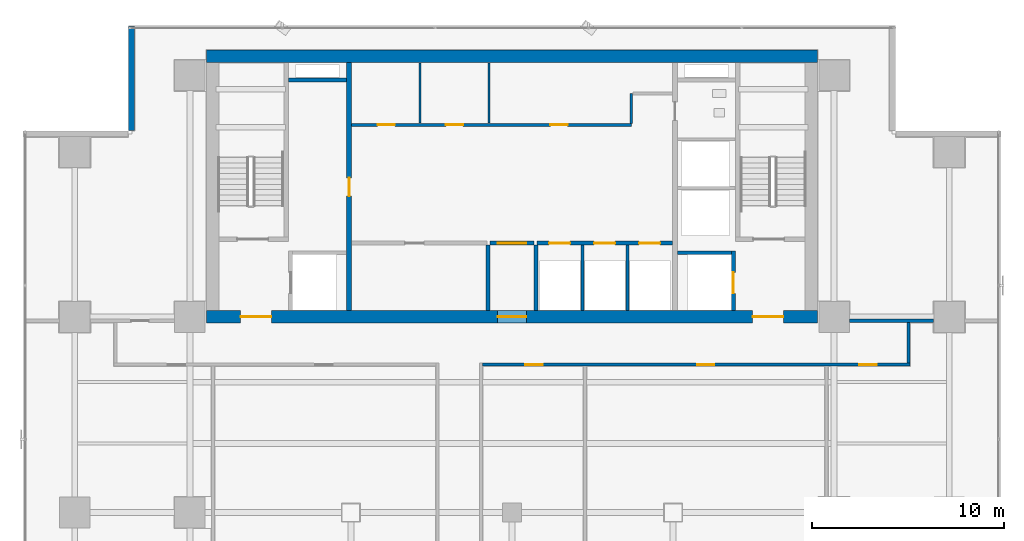
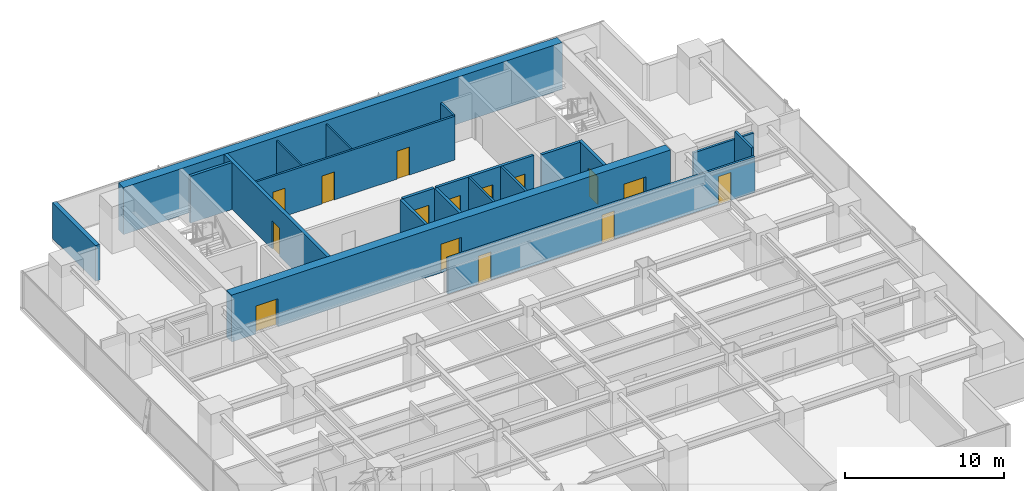
# One storey, part 27 of 35: 20 walls, 15 doors, 15 openings.
"""IFC4 building model written with IfcOpenShell, lengths in metres."""

from ifc_helpers import new_model, si_unit, direction, frame, frame_2d, origin, place, context, subcontext, project, spatial, rectangle, extrude, source, transform, mapped, material, layer, layer_set, type_object, element, fill, save


model = new_model("IFC4")

# Units and contexts
model_context = context("Model", 3, precision=1e-05, world=origin(), true_north=direction((0.0, 1.0)))
body_context = subcontext(model_context, "Body", "Model", "MODEL_VIEW")
ifc_project = project(units=[si_unit("LENGTHUNIT", "METRE"), si_unit("AREAUNIT", "SQUARE_METRE"), si_unit("VOLUMEUNIT", "CUBIC_METRE"), si_unit("PLANEANGLEUNIT", "RADIAN"), si_unit("MASSUNIT", "GRAM", prefix="KILO")], contexts=[model_context])

# Site, building, storey
site_placement = place(None, origin())
site = spatial("IfcSite", under=ifc_project, at=site_placement, CompositionType="ELEMENT")
building_placement = place(site_placement, origin())
building = spatial("IfcBuilding", under=site, at=building_placement, Name="Sumidabori Civic Tower", CompositionType="ELEMENT")
storey_placement = place(building_placement, frame((0.0, 0.0, 102.800048828125)))
storey = spatial("IfcBuildingStorey", under=building, at=storey_placement, Name="L26", CompositionType="ELEMENT", Elevation=102.800048828125)

# Walls
ifc_material_1 = material(Name="Concrete C50/60", Category="concrete")
ifc_layer_1 = layer(ifc_material_1, 0.199951171875, Name="Concrete C50/60")
ifc_layer_set_1 = layer_set([ifc_layer_1], Name="Concrete C50/60")
wall_type_1 = type_object("IfcWallType", Name="WL-SHAFT-200", PredefinedType="SHEAR", material=ifc_layer_set_1)
shared_shape_1 = source(origin(), body_context, "Body", "SweptSolid", [
    extrude(rectangle(XDim=2.824951171875, YDim=0.199951171875, at=frame_2d((1.41259765625, 0.0))), origin(), (0.0, 0.0, 1.0), 3.599853515625),
])
wall_1_placement = place(storey_placement, frame((8.625, 13.550048828125, 0.0), z_axis=(0.0, 0.0, 1.0), x_axis=(1.0, 0.0, 0.0)))
element("IfcWall", 1, at=wall_1_placement, inside=storey, type_object=wall_type_1, Name="Core Shear Wall L26 EL2-N", PredefinedType="SHEAR", context=body_context, shape_type="MappedRepresentation", body=[
    mapped(shared_shape_1, transform((0.0, 0.0, 0.0), x_axis=(1.0, 0.0, 0.0), y_axis=(0.0, 1.0, 0.0), z_axis=(0.0, 0.0, 1.0), scale=1.0)),
])
shared_shape_2 = source(origin(), body_context, "Body", "SweptSolid", [
    extrude(rectangle(XDim=3.02001953125, YDim=0.199951171875, at=frame_2d((1.510009765625, 0.0))), origin(), (0.0, 0.0, 1.0), 3.599853515625),
])
wall_2_placement = place(storey_placement, frame((-11.64501953125, 22.550048828125, 0.0), z_axis=(0.0, 0.0, 1.0), x_axis=(1.0, 0.0, 0.0)))
element("IfcWall", 2, at=wall_2_placement, inside=storey, type_object=wall_type_1, Name="Core Shear Wall L26 RIS1-S", PredefinedType="SHEAR", context=body_context, shape_type="MappedRepresentation", body=[
    mapped(shared_shape_2, transform((0.0, 0.0, 0.0), x_axis=(1.0, 0.0, 0.0), y_axis=(0.0, 1.0, 0.0), z_axis=(0.0, 0.0, 1.0), scale=1.0)),
])
ifc_material_2 = material(Name="Concrete C60/75", Category="concrete")
ifc_layer_2 = layer(ifc_material_2, 0.64990234375, Name="Concrete C60/75")
ifc_layer_set_2 = layer_set([ifc_layer_2], Name="Concrete C60/75")
wall_type_2 = type_object("IfcWallType", Name="WL-CORE-650", PredefinedType="SHEAR", material=ifc_layer_set_2)
shared_shape_3 = source(origin(), body_context, "Body", "SweptSolid", [
    extrude(rectangle(XDim=31.85009765625, YDim=0.64990234375, at=frame_2d((15.925048828125, 0.0))), origin(), (0.0, 0.0, 1.0), 3.599853515625),
])
wall_3_placement = place(storey_placement, frame((-15.925048828125, 23.800048828125, 0.0), z_axis=(0.0, 0.0, 1.0), x_axis=(1.0, 0.0, 0.0)))
element("IfcWall", 3, at=wall_3_placement, inside=storey, type_object=wall_type_2, Name="Core Shear Wall L26 N", PredefinedType="SHEAR", context=body_context, shape_type="MappedRepresentation", body=[
    mapped(shared_shape_3, transform((0.0, 0.0, 0.0), x_axis=(1.0, 0.0, 0.0), y_axis=(0.0, 1.0, 0.0), z_axis=(0.0, 0.0, 1.0), scale=1.0)),
])

# Wall, openings, doors
wall_4_placement = place(storey_placement, frame((-15.925048828125, 10.199951171875, 0.0), z_axis=(0.0, 0.0, 1.0), x_axis=(1.0, 0.0, 0.0)))
wall_4 = element("IfcWall", 4, at=wall_4_placement, inside=storey, type_object=wall_type_2, Name="Core Shear Wall L26 S", PredefinedType="SHEAR", context=body_context, shape_type="MappedRepresentation", body=[
    mapped(shared_shape_3, transform((0.0, 0.0, 0.0), x_axis=(1.0, 0.0, 0.0), y_axis=(0.0, 1.0, 0.0), z_axis=(0.0, 0.0, 1.0), scale=1.0)),
])
opening_1_placement = place(wall_4_placement, frame((1.77490234375, 0.0, 0.0)))
opening_1 = element("IfcOpeningElement", 5, at=opening_1_placement, cuts=wall_4, Name="Opening DR-FD4", PredefinedType="OPENING", context=body_context, shape_type="SweptSolid", body=[
    extrude(rectangle(XDim=1.60009765625, YDim=2.14990234375, at=frame_2d((0.800048828125, 1.074951171875))), frame((0.0, 0.3369140625, 0.0), z_axis=(0.0, -1.0, 0.0), x_axis=(1.0, 0.0, 0.0)), (0.0, 0.0, 1.0), 0.673828125),
])
opening_2_placement = place(wall_4_placement, frame((28.47509765625, 0.0, 0.0)))
opening_2 = element("IfcOpeningElement", 6, at=opening_2_placement, cuts=wall_4, Name="Opening DR-FD4", PredefinedType="OPENING", context=body_context, shape_type="SweptSolid", body=[
    extrude(rectangle(XDim=1.60009765625, YDim=2.14990234375, at=frame_2d((0.800048828125, 1.074951171875))), frame((0.0, 0.3369140625, 0.0), z_axis=(0.0, -1.0, 0.0), x_axis=(1.0, 0.0, 0.0)), (0.0, 0.0, 1.0), 0.673828125),
])
opening_3_placement = place(wall_4_placement, frame((15.175048828125, 0.0, 0.0)))
opening_3 = element("IfcOpeningElement", 7, at=opening_3_placement, cuts=wall_4, Name="Opening DR-FD3", PredefinedType="OPENING", context=body_context, shape_type="SweptSolid", body=[
    extrude(rectangle(XDim=1.5, YDim=2.199951171875, at=frame_2d((0.75, 1.10009765625))), frame((0.0, 0.3369140625, 0.0), z_axis=(0.0, -1.0, 0.0), x_axis=(1.0, 0.0, 0.0)), (0.0, 0.0, 1.0), 0.673828125),
])
ifc_material_3 = material(Name="Steel SN490", Category="steel")
door_type_1 = type_object("IfcDoorType", Name="DR-FD4", OperationType="DOUBLE_DOOR_SINGLE_SWING", PredefinedType="DOOR", material=ifc_material_3)
shared_shape_4 = source(origin(), body_context, "Body", "SweptSolid", [
    extrude(rectangle(XDim=1.60009765625, YDim=2.14990234375, at=frame_2d((0.800048828125, 1.074951171875))), frame((0.0, 0.02490234375, 0.0), z_axis=(0.0, -1.0, 0.0), x_axis=(1.0, 0.0, 0.0)), (0.0, 0.0, 1.0), 0.050048828125),
])
door_1_placement = place(opening_1_placement, origin())
door_1 = element("IfcDoor", 8, at=door_1_placement, inside=storey, type_object=door_type_1, Name="Door DR:L26:ELOB-W", OperationType="DOUBLE_DOOR_SINGLE_SWING", OverallHeight=2.14990234375, OverallWidth=1.60009765625, PredefinedType="DOOR", context=body_context, shape_type="MappedRepresentation", body=[
    mapped(shared_shape_4, transform((0.0, 0.0, 0.0), x_axis=(1.0, 0.0, 0.0), y_axis=(0.0, 1.0, 0.0), z_axis=(0.0, 0.0, 1.0), scale=1.0)),
])
fill(opening_1, door_1)
door_2_placement = place(opening_2_placement, origin())
door_2 = element("IfcDoor", 9, at=door_2_placement, inside=storey, type_object=door_type_1, Name="Door DR:L26:ELOB-E", OperationType="DOUBLE_DOOR_SINGLE_SWING", OverallHeight=2.14990234375, OverallWidth=1.60009765625, PredefinedType="DOOR", context=body_context, shape_type="MappedRepresentation", body=[
    mapped(shared_shape_4, transform((0.0, 0.0, 0.0), x_axis=(1.0, 0.0, 0.0), y_axis=(0.0, 1.0, 0.0), z_axis=(0.0, 0.0, 1.0), scale=1.0)),
])
fill(opening_2, door_2)
door_type_2 = type_object("IfcDoorType", Name="DR-FD-DBL", OperationType="DOUBLE_DOOR_SINGLE_SWING", PredefinedType="DOOR", material=ifc_material_3)
shared_shape_5 = source(origin(), body_context, "Body", "SweptSolid", [
    extrude(rectangle(XDim=1.5, YDim=2.199951171875, at=frame_2d((0.75, 1.10009765625))), frame((0.0, 0.02490234375, 0.0), z_axis=(0.0, -1.0, 0.0), x_axis=(1.0, 0.0, 0.0)), (0.0, 0.0, 1.0), 0.050048828125),
])
door_3_placement = place(opening_3_placement, origin())
door_3 = element("IfcDoor", 10, at=door_3_placement, inside=storey, type_object=door_type_2, Name="Door DR:L26:THROAT-OUT", OperationType="DOUBLE_DOOR_SINGLE_SWING", OverallHeight=2.199951171875, OverallWidth=1.5, PredefinedType="DOOR", context=body_context, shape_type="MappedRepresentation", body=[
    mapped(shared_shape_5, transform((0.0, 0.0, 0.0), x_axis=(1.0, 0.0, 0.0), y_axis=(0.0, 1.0, 0.0), z_axis=(0.0, 0.0, 1.0), scale=1.0)),
])
fill(opening_3, door_3)

# Wall, opening, door
ifc_layer_3 = layer(ifc_material_1, 0.25, Name="Concrete C50/60")
ifc_layer_set_3 = layer_set([ifc_layer_3], Name="Concrete C50/60")
wall_type_3 = type_object("IfcWallType", Name="WL-SHAFT-250", PredefinedType="SHEAR", material=ifc_layer_set_3)
shared_shape_6 = source(origin(), body_context, "Body", "SweptSolid", [
    extrude(rectangle(XDim=12.9501953125, YDim=0.25, at=frame_2d((6.47509765625, 0.0))), origin(), (0.0, 0.0, 1.0), 3.599853515625),
])
wall_5_placement = place(storey_placement, frame((-8.5, 10.52490234375, 0.0), z_axis=(0.0, 0.0, 1.0), x_axis=(0.0, 1.0, 0.0)))
wall_5 = element("IfcWall", 11, at=wall_5_placement, inside=storey, type_object=wall_type_3, Name="Core Shear Wall L26 WEB-W", PredefinedType="SHEAR", context=body_context, shape_type="MappedRepresentation", body=[
    mapped(shared_shape_6, transform((0.0, 0.0, 0.0), x_axis=(1.0, 0.0, 0.0), y_axis=(0.0, 1.0, 0.0), z_axis=(0.0, 0.0, 1.0), scale=1.0)),
])
opening_4_placement = place(wall_5_placement, frame((5.97509765625, 0.0, 0.0)))
opening_4 = element("IfcOpeningElement", 12, at=opening_4_placement, cuts=wall_5, Name="Opening DR-FD2", PredefinedType="OPENING", context=body_context, shape_type="SweptSolid", body=[
    extrude(rectangle(XDim=0.949951171875, YDim=2.14990234375, at=frame_2d((0.47509765625, 1.074951171875))), frame((0.0, 0.136962890625, 0.0), z_axis=(0.0, -1.0, 0.0), x_axis=(1.0, 0.0, 0.0)), (0.0, 0.0, 1.0), 0.27392578125),
])
door_type_3 = type_object("IfcDoorType", Name="DR-FD2", OperationType="NOTDEFINED", PredefinedType="DOOR", material=ifc_material_3)
shared_shape_7 = source(origin(), body_context, "Body", "SweptSolid", [
    extrude(rectangle(XDim=0.949951171875, YDim=2.14990234375, at=frame_2d((0.47509765625, 1.074951171875))), frame((0.0, 0.02490234375, 0.0), z_axis=(0.0, -1.0, 0.0), x_axis=(1.0, 0.0, 0.0)), (0.0, 0.0, 1.0), 0.050048828125),
])
door_4_placement = place(opening_4_placement, origin())
door_4 = element("IfcDoor", 13, at=door_4_placement, inside=storey, type_object=door_type_3, Name="Door DR:L26:CW-STR", OperationType="SINGLE_SWING_LEFT", OverallHeight=2.14990234375, OverallWidth=0.949951171875, PredefinedType="DOOR", context=body_context, shape_type="MappedRepresentation", body=[
    mapped(shared_shape_7, transform((0.0, 0.0, 0.0), x_axis=(1.0, 0.0, 0.0), y_axis=(0.0, 1.0, 0.0), z_axis=(0.0, 0.0, 1.0), scale=1.0)),
])
fill(opening_4, door_4)

shared_shape_8 = source(origin(), body_context, "Body", "SweptSolid", [
    extrude(rectangle(XDim=3.125, YDim=0.199951171875, at=frame_2d((1.5625, 0.0))), origin(), (0.0, 0.0, 1.0), 3.599853515625),
])
wall_6_placement = place(storey_placement, frame((11.550048828125, 10.52490234375, 0.0), z_axis=(0.0, 0.0, 1.0), x_axis=(0.0, 1.0, 0.0)))
wall_6 = element("IfcWall", 14, at=wall_6_placement, inside=storey, type_object=wall_type_1, Name="Core Shear Wall L26 EL2-E", PredefinedType="SHEAR", context=body_context, shape_type="MappedRepresentation", body=[
    mapped(shared_shape_8, transform((0.0, 0.0, 0.0), x_axis=(1.0, 0.0, 0.0), y_axis=(0.0, 1.0, 0.0), z_axis=(0.0, 0.0, 1.0), scale=1.0)),
])
opening_5_placement = place(wall_6_placement, frame((0.89990234375, 0.0, 0.0)))
opening_5 = element("IfcOpeningElement", 15, at=opening_5_placement, cuts=wall_6, Name="Opening LD-2", PredefinedType="OPENING", context=body_context, shape_type="SweptSolid", body=[
    extrude(rectangle(XDim=1.10009765625, YDim=2.14990234375, at=frame_2d((0.550048828125, 1.074951171875))), frame((0.0, 0.11181640625, 0.0), z_axis=(0.0, -1.0, 0.0), x_axis=(1.0, 0.0, 0.0)), (0.0, 0.0, 1.0), 0.223876953125),
])
ifc_material_4 = material(Name="Stainless Steel Hairline Finish", Category="steel")
door_type_4 = type_object("IfcDoorType", Name="DR-LD2", OperationType="DOUBLE_DOOR_SLIDING", PredefinedType="DOOR", material=ifc_material_4)
shared_shape_9 = source(origin(), body_context, "Body", "SweptSolid", [
    extrude(rectangle(XDim=1.10009765625, YDim=2.14990234375, at=frame_2d((0.550048828125, 1.074951171875))), frame((0.0, 0.02490234375, 0.0), z_axis=(0.0, -1.0, 0.0), x_axis=(1.0, 0.0, 0.0)), (0.0, 0.0, 1.0), 0.050048828125),
])
door_5_placement = place(opening_5_placement, origin())
door_5 = element("IfcDoor", 16, at=door_5_placement, inside=storey, type_object=door_type_4, Name="Door DR:L26:LD-EL2", OperationType="DOUBLE_DOOR_SLIDING", OverallHeight=2.14990234375, OverallWidth=1.10009765625, PredefinedType="DOOR", context=body_context, shape_type="MappedRepresentation", body=[
    mapped(shared_shape_9, transform((0.0, 0.0, 0.0), x_axis=(1.0, 0.0, 0.0), y_axis=(0.0, 1.0, 0.0), z_axis=(0.0, 0.0, 1.0), scale=1.0)),
])
fill(opening_5, door_5)

# Wall
ifc_material_5 = material(Name="Precast concrete C40/50", Category="concrete")
ifc_layer_4 = layer(ifc_material_5, 0.300048828125, Name="Precast concrete C40/50")
ifc_layer_set_4 = layer_set([ifc_layer_4], Name="Precast concrete C40/50")
wall_type_4 = type_object("IfcWallType", Name="WL-EXT-POD300", PredefinedType="STANDARD", material=ifc_layer_set_4)
shared_shape_10 = source(origin(), body_context, "Body", "SweptSolid", [
    extrude(rectangle(XDim=5.4599609375, YDim=0.300048828125, at=frame_2d((2.72998046875, 0.0))), origin(), (0.0, 0.0, 1.0), 2.739990234375),
])
wall_7_placement = place(storey_placement, frame((-19.85009765625, 25.3798828125, 0.0), z_axis=(0.0, 0.0, 1.0), x_axis=(0.0, -1.0, 0.0)))
element("IfcWall", 17, at=wall_7_placement, inside=storey, type_object=wall_type_4, Name="Notched Corner Spandrel Band L26-08", PredefinedType="STANDARD", context=body_context, shape_type="MappedRepresentation", body=[
    mapped(shared_shape_10, transform((0.0, 0.0, 0.0), x_axis=(1.0, 0.0, 0.0), y_axis=(0.0, 1.0, 0.0), z_axis=(0.0, 0.0, 1.0), scale=1.0)),
])

# Wall, openings, doors
ifc_material_6 = material(Name="Gypsum Plasterboard Fire Partition")
ifc_layer_5 = layer(ifc_material_6, 0.199951171875, Name="Gypsum Plasterboard Fire Partition")
ifc_layer_set_5 = layer_set([ifc_layer_5], Name="Gypsum Plasterboard Fire Partition")
wall_type_5 = type_object("IfcWallType", Name="WL-PART-FIRE", PredefinedType="PARTITIONING", material=ifc_layer_set_5)
shared_shape_11 = source(origin(), body_context, "Body", "SweptSolid", [
    extrude(rectangle(XDim=7.070068359375, YDim=0.199951171875, at=frame_2d((3.53515625, 0.0))), origin(), (0.0, 0.0, 1.0), 3.35986328125),
])
wall_8_placement = place(storey_placement, frame((1.300048828125, 14.050048828125, 0.0), z_axis=(0.0, 0.0, 1.0), x_axis=(1.0, 0.0, 0.0)))
wall_8 = element("IfcWall", 18, at=wall_8_placement, inside=storey, type_object=wall_type_5, Name="Interior Partition WL:L26:CBAND-SE", PredefinedType="PARTITIONING", context=body_context, shape_type="MappedRepresentation", body=[
    mapped(shared_shape_11, transform((0.0, 0.0, 0.0), x_axis=(1.0, 0.0, 0.0), y_axis=(0.0, 1.0, 0.0), z_axis=(0.0, 0.0, 1.0), scale=1.0)),
])
opening_6_placement = place(wall_8_placement, frame((0.6298828125, 0.0, 0.0)))
opening_6 = element("IfcOpeningElement", 19, at=opening_6_placement, cuts=wall_8, Name="Opening LD-1", PredefinedType="OPENING", context=body_context, shape_type="SweptSolid", body=[
    extrude(rectangle(XDim=1.10009765625, YDim=2.14990234375, at=frame_2d((0.550048828125, 1.074951171875))), frame((0.0, 0.11181640625, 0.0), z_axis=(0.0, -1.0, 0.0), x_axis=(1.0, 0.0, 0.0)), (0.0, 0.0, 1.0), 0.223876953125),
])
opening_7_placement = place(wall_8_placement, frame((2.97998046875, 0.0, 0.0)))
opening_7 = element("IfcOpeningElement", 20, at=opening_7_placement, cuts=wall_8, Name="Opening LD-1", PredefinedType="OPENING", context=body_context, shape_type="SweptSolid", body=[
    extrude(rectangle(XDim=1.10009765625, YDim=2.14990234375, at=frame_2d((0.550048828125, 1.074951171875))), frame((0.0, 0.11181640625, 0.0), z_axis=(0.0, -1.0, 0.0), x_axis=(1.0, 0.0, 0.0)), (0.0, 0.0, 1.0), 0.223876953125),
])
opening_8_placement = place(wall_8_placement, frame((5.330078125, 0.0, 0.0)))
opening_8 = element("IfcOpeningElement", 21, at=opening_8_placement, cuts=wall_8, Name="Opening LD-1", PredefinedType="OPENING", context=body_context, shape_type="SweptSolid", body=[
    extrude(rectangle(XDim=1.10009765625, YDim=2.14990234375, at=frame_2d((0.550048828125, 1.074951171875))), frame((0.0, 0.11181640625, 0.0), z_axis=(0.0, -1.0, 0.0), x_axis=(1.0, 0.0, 0.0)), (0.0, 0.0, 1.0), 0.223876953125),
])
door_type_5 = type_object("IfcDoorType", Name="DR-LD1", OperationType="DOUBLE_DOOR_SLIDING", PredefinedType="DOOR", material=ifc_material_4)
door_6_placement = place(opening_6_placement, origin())
door_6 = element("IfcDoor", 22, at=door_6_placement, inside=storey, type_object=door_type_5, Name="Door DR:L26:LD-PLM1", OperationType="DOUBLE_DOOR_SLIDING", OverallHeight=2.14990234375, OverallWidth=1.10009765625, PredefinedType="DOOR", context=body_context, shape_type="MappedRepresentation", body=[
    mapped(shared_shape_9, transform((0.0, 0.0, 0.0), x_axis=(1.0, 0.0, 0.0), y_axis=(0.0, 1.0, 0.0), z_axis=(0.0, 0.0, 1.0), scale=1.0)),
])
fill(opening_6, door_6)
door_7_placement = place(opening_7_placement, origin())
door_7 = element("IfcDoor", 23, at=door_7_placement, inside=storey, type_object=door_type_5, Name="Door DR:L26:LD-PLM2", OperationType="DOUBLE_DOOR_SLIDING", OverallHeight=2.14990234375, OverallWidth=1.10009765625, PredefinedType="DOOR", context=body_context, shape_type="MappedRepresentation", body=[
    mapped(shared_shape_9, transform((0.0, 0.0, 0.0), x_axis=(1.0, 0.0, 0.0), y_axis=(0.0, 1.0, 0.0), z_axis=(0.0, 0.0, 1.0), scale=1.0)),
])
fill(opening_7, door_7)
door_8_placement = place(opening_8_placement, origin())
door_8 = element("IfcDoor", 24, at=door_8_placement, inside=storey, type_object=door_type_5, Name="Door DR:L26:LD-PLM3", OperationType="DOUBLE_DOOR_SLIDING", OverallHeight=2.14990234375, OverallWidth=1.10009765625, PredefinedType="DOOR", context=body_context, shape_type="MappedRepresentation", body=[
    mapped(shared_shape_9, transform((0.0, 0.0, 0.0), x_axis=(1.0, 0.0, 0.0), y_axis=(0.0, 1.0, 0.0), z_axis=(0.0, 0.0, 1.0), scale=1.0)),
])
fill(opening_8, door_8)

# Wall, opening, door
shared_shape_12 = source(origin(), body_context, "Body", "SweptSolid", [
    extrude(rectangle(XDim=2.2998046875, YDim=0.199951171875, at=frame_2d((1.14990234375, 0.0))), origin(), (0.0, 0.0, 1.0), 3.35986328125),
])
wall_9_placement = place(storey_placement, frame((-1.14990234375, 14.050048828125, 0.0), z_axis=(0.0, 0.0, 1.0), x_axis=(1.0, 0.0, 0.0)))
wall_9 = element("IfcWall", 25, at=wall_9_placement, inside=storey, type_object=wall_type_5, Name="Interior Partition WL:L26:THROAT-N", PredefinedType="PARTITIONING", context=body_context, shape_type="MappedRepresentation", body=[
    mapped(shared_shape_12, transform((0.0, 0.0, 0.0), x_axis=(1.0, 0.0, 0.0), y_axis=(0.0, 1.0, 0.0), z_axis=(0.0, 0.0, 1.0), scale=1.0)),
])
opening_9_placement = place(wall_9_placement, frame((0.39990234375, 0.0, 0.0)))
opening_9 = element("IfcOpeningElement", 26, at=opening_9_placement, cuts=wall_9, Name="Opening DR-FD3", PredefinedType="OPENING", context=body_context, shape_type="SweptSolid", body=[
    extrude(rectangle(XDim=1.5, YDim=2.199951171875, at=frame_2d((0.75, 1.10009765625))), frame((0.0, 0.11181640625, 0.0), z_axis=(0.0, -1.0, 0.0), x_axis=(1.0, 0.0, 0.0)), (0.0, 0.0, 1.0), 0.223876953125),
])
door_9_placement = place(opening_9_placement, origin())
door_9 = element("IfcDoor", 27, at=door_9_placement, inside=storey, type_object=door_type_2, Name="Door DR:L26:THROAT-IN", OperationType="DOUBLE_DOOR_SINGLE_SWING", OverallHeight=2.199951171875, OverallWidth=1.5, PredefinedType="DOOR", context=body_context, shape_type="MappedRepresentation", body=[
    mapped(shared_shape_5, transform((0.0, 0.0, 0.0), x_axis=(1.0, 0.0, 0.0), y_axis=(0.0, 1.0, 0.0), z_axis=(0.0, 0.0, 1.0), scale=1.0)),
])
fill(opening_9, door_9)

# Wall, openings, doors
ifc_material_7 = material(Name="Gypsum Plasterboard Acoustic Partition")
ifc_layer_6 = layer(ifc_material_7, 0.14990234375, Name="Gypsum Plasterboard Acoustic Partition")
ifc_layer_set_6 = layer_set([ifc_layer_6], Name="Gypsum Plasterboard Acoustic Partition")
wall_type_6 = type_object("IfcWallType", Name="WL-PART-150", PredefinedType="PARTITIONING", material=ifc_layer_set_6)
shared_shape_13 = source(origin(), body_context, "Body", "SweptSolid", [
    extrude(rectangle(XDim=14.590087890625, YDim=0.14990234375, at=frame_2d((7.294921875, 0.0))), origin(), (0.0, 0.0, 1.0), 3.35986328125),
])
wall_10_placement = place(storey_placement, frame((-8.3701171875, 20.219970703125, 0.0), z_axis=(0.0, 0.0, 1.0), x_axis=(1.0, 0.0, 0.0)))
wall_10 = element("IfcWall", 28, at=wall_10_placement, inside=storey, type_object=wall_type_6, Name="Interior Partition WL:L26:CBAND-M", PredefinedType="PARTITIONING", context=body_context, shape_type="MappedRepresentation", body=[
    mapped(shared_shape_13, transform((0.0, 0.0, 0.0), x_axis=(1.0, 0.0, 0.0), y_axis=(0.0, 1.0, 0.0), z_axis=(0.0, 0.0, 1.0), scale=1.0)),
])
opening_10_placement = place(wall_10_placement, frame((1.360107421875, 0.0, 0.0)))
opening_10 = element("IfcOpeningElement", 29, at=opening_10_placement, cuts=wall_10, Name="Opening DR-1", PredefinedType="OPENING", context=body_context, shape_type="SweptSolid", body=[
    extrude(rectangle(XDim=0.89990234375, YDim=2.14990234375, at=frame_2d((0.449951171875, 1.074951171875))), frame((0.0, 0.0869140625, 0.0), z_axis=(0.0, -1.0, 0.0), x_axis=(1.0, 0.0, 0.0)), (0.0, 0.0, 1.0), 0.173828125),
])
opening_11_placement = place(wall_10_placement, frame((4.919921875, 0.0, 0.0)))
opening_11 = element("IfcOpeningElement", 30, at=opening_11_placement, cuts=wall_10, Name="Opening DR-1", PredefinedType="OPENING", context=body_context, shape_type="SweptSolid", body=[
    extrude(rectangle(XDim=0.89990234375, YDim=2.14990234375, at=frame_2d((0.449951171875, 1.074951171875))), frame((0.0, 0.0869140625, 0.0), z_axis=(0.0, -1.0, 0.0), x_axis=(1.0, 0.0, 0.0)), (0.0, 0.0, 1.0), 0.173828125),
])
opening_12_placement = place(wall_10_placement, frame((10.3701171875, 0.0, 0.0)))
opening_12 = element("IfcOpeningElement", 31, at=opening_12_placement, cuts=wall_10, Name="Opening DR-1", PredefinedType="OPENING", context=body_context, shape_type="SweptSolid", body=[
    extrude(rectangle(XDim=0.89990234375, YDim=2.14990234375, at=frame_2d((0.449951171875, 1.074951171875))), frame((0.0, 0.0869140625, 0.0), z_axis=(0.0, -1.0, 0.0), x_axis=(1.0, 0.0, 0.0)), (0.0, 0.0, 1.0), 0.173828125),
])
ifc_material_8 = material(Name="Japanese Hinoki Timber", Category="wood")
door_type_6 = type_object("IfcDoorType", Name="DR-INT-900", OperationType="NOTDEFINED", PredefinedType="DOOR", material=ifc_material_8)
shared_shape_14 = source(origin(), body_context, "Body", "SweptSolid", [
    extrude(rectangle(XDim=0.89990234375, YDim=2.14990234375, at=frame_2d((0.449951171875, 1.074951171875))), frame((0.0, 0.02490234375, 0.0), z_axis=(0.0, -1.0, 0.0), x_axis=(1.0, 0.0, 0.0)), (0.0, 0.0, 1.0), 0.050048828125),
])
door_10_placement = place(opening_10_placement, origin())
door_10 = element("IfcDoor", 32, at=door_10_placement, inside=storey, type_object=door_type_6, Name="Door DR:L26:CB-1", OperationType="SINGLE_SWING_LEFT", OverallHeight=2.14990234375, OverallWidth=0.89990234375, PredefinedType="DOOR", context=body_context, shape_type="MappedRepresentation", body=[
    mapped(shared_shape_14, transform((0.0, 0.0, 0.0), x_axis=(1.0, 0.0, 0.0), y_axis=(0.0, 1.0, 0.0), z_axis=(0.0, 0.0, 1.0), scale=1.0)),
])
fill(opening_10, door_10)
door_11_placement = place(opening_11_placement, origin())
door_11 = element("IfcDoor", 33, at=door_11_placement, inside=storey, type_object=door_type_6, Name="Door DR:L26:CB-2", OperationType="SINGLE_SWING_RIGHT", OverallHeight=2.14990234375, OverallWidth=0.89990234375, PredefinedType="DOOR", context=body_context, shape_type="MappedRepresentation", body=[
    mapped(shared_shape_14, transform((0.0, 0.0, 0.0), x_axis=(1.0, 0.0, 0.0), y_axis=(0.0, 1.0, 0.0), z_axis=(0.0, 0.0, 1.0), scale=1.0)),
])
fill(opening_11, door_11)
door_12_placement = place(opening_12_placement, origin())
door_12 = element("IfcDoor", 34, at=door_12_placement, inside=storey, type_object=door_type_6, Name="Door DR:L26:CB-3", OperationType="SINGLE_SWING_LEFT", OverallHeight=2.14990234375, OverallWidth=0.89990234375, PredefinedType="DOOR", context=body_context, shape_type="MappedRepresentation", body=[
    mapped(shared_shape_14, transform((0.0, 0.0, 0.0), x_axis=(1.0, 0.0, 0.0), y_axis=(0.0, 1.0, 0.0), z_axis=(0.0, 0.0, 1.0), scale=1.0)),
])
fill(opening_12, door_12)

# Walls
shared_shape_15 = source(origin(), body_context, "Body", "SweptSolid", [
    extrude(rectangle(XDim=1.550048828125, YDim=0.14990234375, at=frame_2d((0.77490234375, 0.0))), origin(), (0.0, 0.0, 1.0), 3.35986328125),
])
wall_11_placement = place(storey_placement, frame((6.219970703125, 20.300048828125, 0.0), z_axis=(0.0, 0.0, 1.0), x_axis=(0.0, 1.0, 0.0)))
element("IfcWall", 35, at=wall_11_placement, inside=storey, type_object=wall_type_6, Name="Interior Partition WL:L26:CBAND-ME1", PredefinedType="PARTITIONING", context=body_context, shape_type="MappedRepresentation", body=[
    mapped(shared_shape_15, transform((0.0, 0.0, 0.0), x_axis=(1.0, 0.0, 0.0), y_axis=(0.0, 1.0, 0.0), z_axis=(0.0, 0.0, 1.0), scale=1.0)),
])
shared_shape_16 = source(origin(), body_context, "Body", "SweptSolid", [
    extrude(rectangle(XDim=3.4150390625, YDim=0.199951171875, at=frame_2d((1.70751953125, 0.0))), origin(), (0.0, 0.0, 1.0), 3.35986328125),
])
for number, where, z_axis, x_axis, name in (
    (36, (-1.25, 10.52490234375, 0.0), (0.0, 0.0, 1.0), (0.0, 1.0, 0.0), "Interior Partition WL:L26:THROAT-W"),
    (37, (1.25, 10.52490234375, 0.0), (0.0, 0.0, 1.0), (0.0, 1.0, 0.0), "Interior Partition WL:L26:THROAT-E"),
):
    element("IfcWall", number, at=place(storey_placement, frame(where, z_axis=z_axis, x_axis=x_axis)), inside=storey, type_object=wall_type_5, Name=name, PredefinedType="PARTITIONING", context=body_context, shape_type="MappedRepresentation", body=[
        mapped(shared_shape_16, transform((0.0, 0.0, 0.0), x_axis=(1.0, 0.0, 0.0), y_axis=(0.0, 1.0, 0.0), z_axis=(0.0, 0.0, 1.0), scale=1.0)),
    ])
shared_shape_17 = source(origin(), body_context, "Body", "SweptSolid", [
    extrude(rectangle(XDim=3.4150390625, YDim=0.14990234375, at=frame_2d((1.70751953125, 0.0))), origin(), (0.0, 0.0, 1.0), 3.35986328125),
])
for number, where, z_axis, x_axis, name in (
    (38, (3.669921875, 10.52490234375, 0.0), (0.0, 0.0, 1.0), (0.0, 1.0, 0.0), "Interior Partition WL:L26:DIV-PLM1"),
    (39, (6.02001953125, 10.52490234375, 0.0), (0.0, 0.0, 1.0), (0.0, 1.0, 0.0), "Interior Partition WL:L26:DIV-PLM2"),
):
    element("IfcWall", number, at=place(storey_placement, frame(where, z_axis=z_axis, x_axis=x_axis)), inside=storey, type_object=wall_type_6, Name=name, PredefinedType="PARTITIONING", context=body_context, shape_type="MappedRepresentation", body=[
        mapped(shared_shape_17, transform((0.0, 0.0, 0.0), x_axis=(1.0, 0.0, 0.0), y_axis=(0.0, 1.0, 0.0), z_axis=(0.0, 0.0, 1.0), scale=1.0)),
    ])
ifc_layer_7 = layer(ifc_material_7, 0.1201171875, Name="Gypsum Plasterboard Acoustic Partition")
ifc_layer_set_7 = layer_set([ifc_layer_7], Name="Gypsum Plasterboard Acoustic Partition")
wall_type_7 = type_object("IfcWallType", Name="WL-PART-120", PredefinedType="PARTITIONING", material=ifc_layer_set_7)
shared_shape_18 = source(origin(), body_context, "Body", "SweptSolid", [
    extrude(rectangle(XDim=3.114990234375, YDim=0.1201171875, at=frame_2d((1.5576171875, 0.0))), origin(), (0.0, 0.0, 1.0), 3.35986328125),
])
for number, where, z_axis, x_axis, name in (
    (40, (-4.800048828125, 20.320068359375, 0.0), (0.0, 0.0, 1.0), (0.0, 1.0, 0.0), "Interior Partition WL:L26:LV8-S1"),
    (41, (-1.199951171875, 20.320068359375, 0.0), (0.0, 0.0, 1.0), (0.0, 1.0, 0.0), "Interior Partition WL:L26:LV8-S2"),
):
    element("IfcWall", number, at=place(storey_placement, frame(where, z_axis=z_axis, x_axis=x_axis)), inside=storey, type_object=wall_type_7, Name=name, PredefinedType="PARTITIONING", context=body_context, shape_type="MappedRepresentation", body=[
        mapped(shared_shape_18, transform((0.0, 0.0, 0.0), x_axis=(1.0, 0.0, 0.0), y_axis=(0.0, 1.0, 0.0), z_axis=(0.0, 0.0, 1.0), scale=1.0)),
    ])
ifc_layer_8 = layer(ifc_material_7, 0.1650390625, Name="Gypsum Plasterboard Acoustic Partition")
ifc_layer_set_8 = layer_set([ifc_layer_8], Name="Gypsum Plasterboard Acoustic Partition")
wall_type_8 = type_object("IfcWallType", Name="WL-PART-165", PredefinedType="PARTITIONING", material=ifc_layer_set_8)
shared_shape_19 = source(origin(), body_context, "Body", "SweptSolid", [
    extrude(rectangle(XDim=4.3798828125, YDim=0.1650390625, at=frame_2d((2.18994140625, 0.0))), origin(), (0.0, 0.0, 1.0), 2.744873046875),
])
wall_12_placement = place(storey_placement, frame((17.610107421875, 10.0, 0.0), z_axis=(0.0, 0.0, 1.0), x_axis=(1.0, 0.0, 0.0)))
element("IfcWall", 42, at=wall_12_placement, inside=storey, type_object=wall_type_8, Name="Interior Partition WL:L26:FLK-NE-1", PredefinedType="PARTITIONING", context=body_context, shape_type="MappedRepresentation", body=[
    mapped(shared_shape_19, transform((0.0, 0.0, 0.0), x_axis=(1.0, 0.0, 0.0), y_axis=(0.0, 1.0, 0.0), z_axis=(0.0, 0.0, 1.0), scale=1.0)),
])

# Wall, openings, doors
shared_shape_20 = source(origin(), body_context, "Body", "SweptSolid", [
    extrude(rectangle(XDim=22.2998046875, YDim=0.1650390625, at=frame_2d((11.14990234375, 0.0))), origin(), (0.0, 0.0, 1.0), 2.744873046875),
])
wall_13_placement = place(storey_placement, frame((-1.534912109375, 7.717529296875, 0.0), z_axis=(0.0, 0.0, 1.0), x_axis=(1.0, 0.0, 0.0)))
wall_13 = element("IfcWall", 43, at=wall_13_placement, inside=storey, type_object=wall_type_8, Name="Interior Partition WL:L26:CORR-SE", PredefinedType="PARTITIONING", context=body_context, shape_type="MappedRepresentation", body=[
    mapped(shared_shape_20, transform((0.0, 0.0, 0.0), x_axis=(1.0, 0.0, 0.0), y_axis=(0.0, 1.0, 0.0), z_axis=(0.0, 0.0, 1.0), scale=1.0)),
])
opening_13_placement = place(wall_13_placement, frame((19.646240234375, 0.0, 0.0)))
opening_13 = element("IfcOpeningElement", 44, at=opening_13_placement, cuts=wall_13, Name="Opening DR-1", PredefinedType="OPENING", context=body_context, shape_type="SweptSolid", body=[
    extrude(rectangle(XDim=0.89990234375, YDim=2.14990234375, at=frame_2d((0.449951171875, 1.074951171875))), frame((0.0, 0.094482421875, 0.0), z_axis=(0.0, -1.0, 0.0), x_axis=(1.0, 0.0, 0.0)), (0.0, 0.0, 1.0), 0.18896484375),
])
opening_14_placement = place(wall_13_placement, frame((2.236083984375, 0.0, 0.0)))
opening_14 = element("IfcOpeningElement", 45, at=opening_14_placement, cuts=wall_13, Name="Opening DR-1", PredefinedType="OPENING", context=body_context, shape_type="SweptSolid", body=[
    extrude(rectangle(XDim=0.89990234375, YDim=2.14990234375, at=frame_2d((0.449951171875, 1.074951171875))), frame((0.0, 0.094482421875, 0.0), z_axis=(0.0, -1.0, 0.0), x_axis=(1.0, 0.0, 0.0)), (0.0, 0.0, 1.0), 0.18896484375),
])
opening_15_placement = place(wall_13_placement, frame((11.18505859375, 0.0, 0.0)))
opening_15 = element("IfcOpeningElement", 46, at=opening_15_placement, cuts=wall_13, Name="Opening DR-1", PredefinedType="OPENING", context=body_context, shape_type="SweptSolid", body=[
    extrude(rectangle(XDim=0.89990234375, YDim=2.14990234375, at=frame_2d((0.449951171875, 1.074951171875))), frame((0.0, 0.094482421875, 0.0), z_axis=(0.0, -1.0, 0.0), x_axis=(1.0, 0.0, 0.0)), (0.0, 0.0, 1.0), 0.18896484375),
])
door_13_placement = place(opening_13_placement, origin())
door_13 = element("IfcDoor", 47, at=door_13_placement, inside=storey, type_object=door_type_6, Name="Door DR:L26:D03", OperationType="SINGLE_SWING_LEFT", OverallHeight=2.14990234375, OverallWidth=0.89990234375, PredefinedType="DOOR", context=body_context, shape_type="MappedRepresentation", body=[
    mapped(shared_shape_14, transform((0.0, 0.0, 0.0), x_axis=(1.0, 0.0, 0.0), y_axis=(0.0, 1.0, 0.0), z_axis=(0.0, 0.0, 1.0), scale=1.0)),
])
fill(opening_13, door_13)
door_14_placement = place(opening_14_placement, origin())
door_14 = element("IfcDoor", 48, at=door_14_placement, inside=storey, type_object=door_type_6, Name="Door DR:L26:D05", OperationType="SINGLE_SWING_LEFT", OverallHeight=2.14990234375, OverallWidth=0.89990234375, PredefinedType="DOOR", context=body_context, shape_type="MappedRepresentation", body=[
    mapped(shared_shape_14, transform((0.0, 0.0, 0.0), x_axis=(1.0, 0.0, 0.0), y_axis=(0.0, 1.0, 0.0), z_axis=(0.0, 0.0, 1.0), scale=1.0)),
])
fill(opening_14, door_14)
door_15_placement = place(opening_15_placement, origin())
door_15 = element("IfcDoor", 49, at=door_15_placement, inside=storey, type_object=door_type_6, Name="Door DR:L26:D06", OperationType="SINGLE_SWING_RIGHT", OverallHeight=2.14990234375, OverallWidth=0.89990234375, PredefinedType="DOOR", context=body_context, shape_type="MappedRepresentation", body=[
    mapped(shared_shape_14, transform((0.0, 0.0, 0.0), x_axis=(1.0, 0.0, 0.0), y_axis=(0.0, 1.0, 0.0), z_axis=(0.0, 0.0, 1.0), scale=1.0)),
])
fill(opening_15, door_15)

# Wall
shared_shape_21 = source(origin(), body_context, "Body", "SweptSolid", [
    extrude(rectangle(XDim=2.107666015625, YDim=0.1650390625, at=frame_2d((1.0537109375, 0.0))), origin(), (0.0, 0.0, 1.0), 3.35986328125),
])
wall_14_placement = place(storey_placement, frame((20.6826171875, 7.804931640625, 0.0), z_axis=(0.0, 0.0, 1.0), x_axis=(0.0, 1.0, 0.0)))
element("IfcWall", 50, at=wall_14_placement, inside=storey, type_object=wall_type_8, Name="Interior Partition WL:L26:CORR-VNE", PredefinedType="PARTITIONING", context=body_context, shape_type="MappedRepresentation", body=[
    mapped(shared_shape_21, transform((0.0, 0.0, 0.0), x_axis=(1.0, 0.0, 0.0), y_axis=(0.0, 1.0, 0.0), z_axis=(0.0, 0.0, 1.0), scale=1.0)),
])

save(model, "model.ifc")
